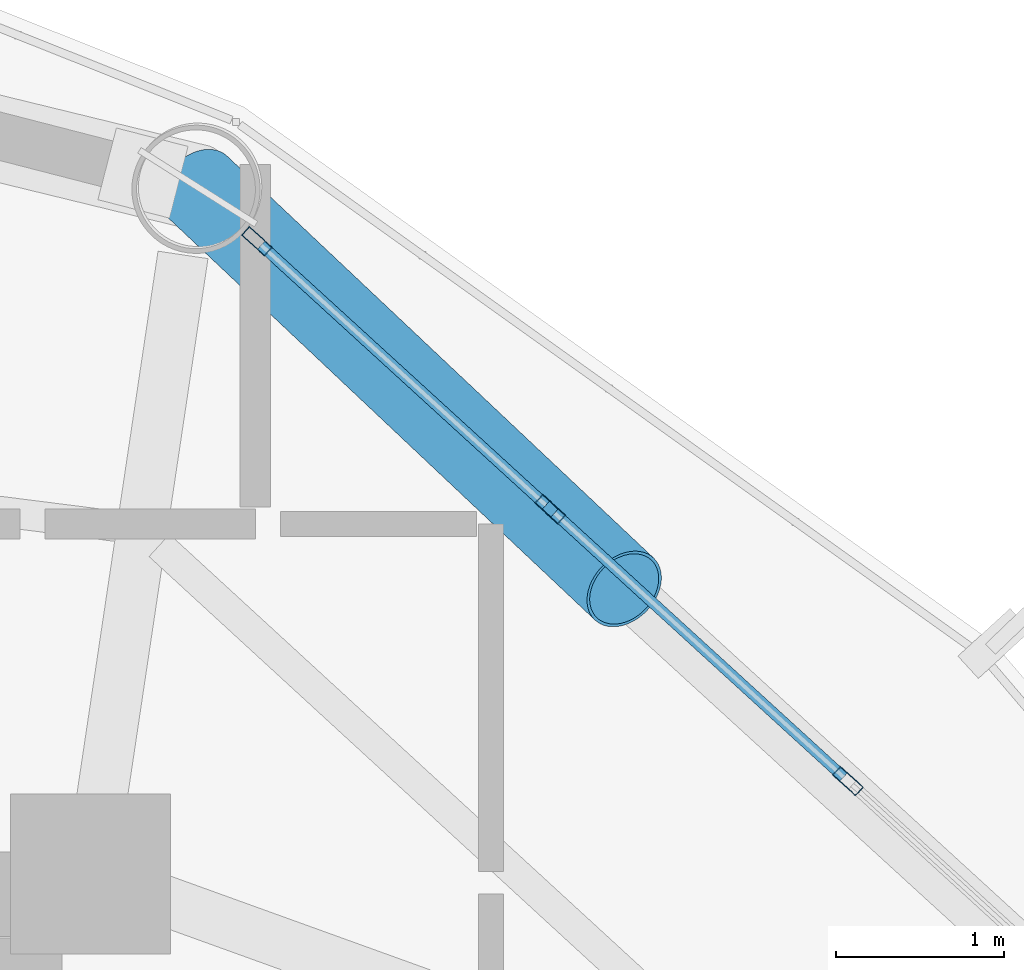
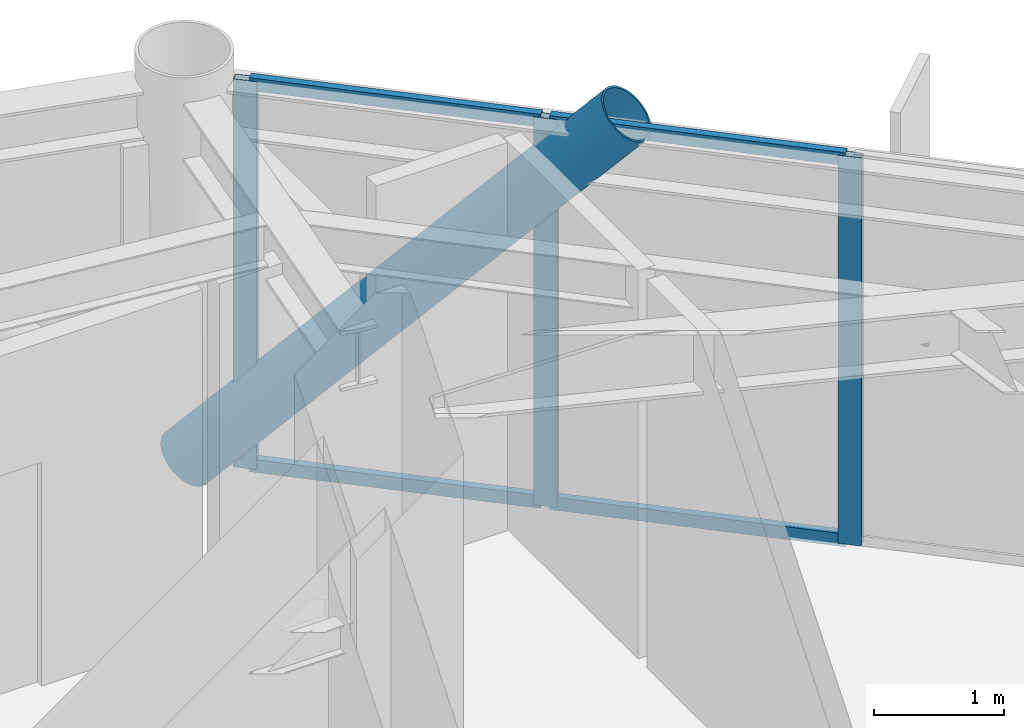
# One storey, part 18 of 25: 8 members, 1 element without a shape of its own.
"""IFC4 building model written with IfcOpenShell, lengths in metres."""

import ifcopenshell
import ifcopenshell.guid

model = None  # the IFC model being written
_history = None  # IfcOwnerHistory: only IFC2X3 demands one
_inside = {}  # id of a spatial element -> (the spatial element, [elements in it])
_under = {}  # id of a project, library or spatial element -> (it, [spatial elements below it])
_declared = {}  # id of a project -> (the project, [libraries it declares])
_typed = {}  # id of a type object -> (the type object, [elements of that type])
_made_of = {}  # id of a material, layer set ... -> (it, [elements and type objects made of it])


def new_model(schema):
    """Start an empty IFC model of exactly this schema.

    Asked for "IFC4X3", IfcOpenShell would pick the latest addendum, in which some entities
    have other attributes; the version numbers below select the first issue.
    IFC2X3 requires an IfcOwnerHistory on every rooted entity: one is made here for all.
    """
    global model, _history
    if schema == "IFC4X3":
        model = ifcopenshell.file(schema_version=(4, 3, 0, 0))
    else:
        model = ifcopenshell.file(schema=schema)
    _inside.clear()
    _under.clear()
    _declared.clear()
    _typed.clear()
    _made_of.clear()
    _history = None
    if model.schema == "IFC2X3":
        org = make("IfcOrganization", Name="unknown")
        user = make(
            "IfcPersonAndOrganization",
            ThePerson=make("IfcPerson", FamilyName="unknown"),
            TheOrganization=org,
        )
        app = make(
            "IfcApplication",
            ApplicationDeveloper=org,
            Version="unknown",
            ApplicationFullName="unknown",
            ApplicationIdentifier="unknown",
        )
        _history = make(
            "IfcOwnerHistory",
            OwningUser=user,
            OwningApplication=app,
            ChangeAction="ADDED",
            CreationDate=0,
        )
    return model


def make(cls, **values):
    """One entity of the class cls with the attributes given. An attribute that is None is left unset."""
    return model.create_entity(
        cls, **{name: value for name, value in values.items() if value is not None}
    )


def rooted(cls, **values):
    """An entity with a GlobalId (a new one), such as an element, a storey or a relation."""
    return make(cls, GlobalId=ifcopenshell.guid.new(), OwnerHistory=_history, **values)


def si_unit(unit_type, name, prefix=None):
    """IfcSIUnit, for example si_unit("LENGTHUNIT", "METRE", prefix="MILLI")."""
    return make("IfcSIUnit", UnitType=unit_type, Prefix=prefix, Name=name)


def assignment(units):
    """IfcUnitAssignment: the units of a project."""
    return None if units is None else make("IfcUnitAssignment", Units=units)


def point(xyz):
    """IfcCartesianPoint."""
    return None if xyz is None else make("IfcCartesianPoint", Coordinates=xyz)


def direction(xyz):
    """IfcDirection."""
    return None if xyz is None else make("IfcDirection", DirectionRatios=xyz)


def frame(location, z_axis=None, x_axis=None):
    """IfcAxis2Placement3D, a coordinate frame: its origin and axes. An axis left out is left unset."""
    return make(
        "IfcAxis2Placement3D",
        Location=point(location),
        Axis=direction(z_axis),
        RefDirection=direction(x_axis),
    )


def frame_2d(location, x_axis=None):
    """IfcAxis2Placement2D, a coordinate frame in the plane: its origin and x axis."""
    return make(
        "IfcAxis2Placement2D", Location=point(location), RefDirection=direction(x_axis)
    )


def origin():
    """The frame at (0, 0, 0) with its axes left unset."""
    return frame((0.0, 0.0, 0.0))


def origin_2d():
    """The frame at (0, 0) in the plane with its x axis left unset."""
    return frame_2d((0.0, 0.0))


def place(relative_to, where):
    """IfcLocalPlacement: puts the frame where relative to a parent placement (None: the world)."""
    return make(
        "IfcLocalPlacement", PlacementRelTo=relative_to, RelativePlacement=where
    )


def context(
    kind, dimensions, precision=None, world=None, true_north=None, identifier=None
):
    """IfcGeometricRepresentationContext, for example the 3D "Model" context."""
    return make(
        "IfcGeometricRepresentationContext",
        ContextIdentifier=identifier,
        ContextType=kind,
        CoordinateSpaceDimension=dimensions,
        Precision=precision,
        WorldCoordinateSystem=world,
        TrueNorth=true_north,
    )


def subcontext(parent, identifier, kind, view, scale=None):
    """IfcGeometricRepresentationSubContext, for example "Body" below "Model"."""
    return make(
        "IfcGeometricRepresentationSubContext",
        ContextIdentifier=identifier,
        ContextType=kind,
        ParentContext=parent,
        TargetScale=scale,
        TargetView=view,
    )


def project(units=None, contexts=None):
    """IfcProject with its units and contexts."""
    return rooted(
        "IfcProject",
        Name="project",
        RepresentationContexts=contexts,
        UnitsInContext=assignment(units),
    )


def spatial(cls, under=None, at=None, **own):
    """A site, building, storey or space (cls), placed at a placement, below another one or the project."""
    s = rooted(cls, ObjectPlacement=at, **own)
    if under is not None:
        _under.setdefault(under.id(), (under, []))[1].append(s)
    return s


def profile(cls, at=None, kind="AREA", **sizes):
    """A parametric profile (cls). Its sizes go by their IFC names, for example OverallWidth=200.0."""
    return make(cls, ProfileType=kind, Position=at, **sizes)


def hollow_rectangle(**sizes):
    """IfcRectangleHollowProfileDef."""
    return profile("IfcRectangleHollowProfileDef", **sizes)


def hollow_circle(**sizes):
    """IfcCircleHollowProfileDef."""
    return profile("IfcCircleHollowProfileDef", **sizes)


def extrude(swept, where, along, depth):
    """IfcExtrudedAreaSolid: the profile swept, set in the frame where, extruded along a direction by depth."""
    return make(
        "IfcExtrudedAreaSolid",
        SweptArea=swept,
        Position=where,
        ExtrudedDirection=direction(along),
        Depth=depth,
    )


def shape(context_of_items, identifier, shape_type, items):
    """IfcShapeRepresentation: the items that make up one representation, for example the "Body"."""
    return make(
        "IfcShapeRepresentation",
        ContextOfItems=context_of_items,
        RepresentationIdentifier=identifier,
        RepresentationType=shape_type,
        Items=items,
    )


def material(Name=None, Category=None):
    """IfcMaterial."""
    return make("IfcMaterial", Name=Name, Category=Category)


def layer(
    of_material, thickness, ventilated=None, Name=None, Category=None, Priority=None
):
    """IfcMaterialLayer: one layer of a wall or slab, of a material (None: an air gap)."""
    return make(
        "IfcMaterialLayer",
        Material=of_material,
        LayerThickness=thickness,
        IsVentilated=ventilated,
        Name=Name,
        Category=Category,
        Priority=Priority,
    )


def layer_set(layers, Name=None):
    """IfcMaterialLayerSet."""
    return make("IfcMaterialLayerSet", MaterialLayers=layers, LayerSetName=Name)


def material_profile(
    of_material, cross_section, Name=None, Category=None, Priority=None
):
    """IfcMaterialProfile: a cross section and its material."""
    return make(
        "IfcMaterialProfile",
        Name=Name,
        Material=of_material,
        Profile=cross_section,
        Priority=Priority,
        Category=Category,
    )


def profile_set(profiles, Name=None, composite=None):
    """IfcMaterialProfileSet."""
    return make(
        "IfcMaterialProfileSet",
        Name=Name,
        MaterialProfiles=profiles,
        CompositeProfile=composite,
    )


def made_of(thing, what):
    """Note that an element or type object is made of a material, layer set ...; save() writes the relation."""
    if what is not None:
        _made_of.setdefault(what.id(), (what, []))[1].append(thing)
    return thing


def type_object(cls, material=None, **own):
    """A type object (cls), such as IfcWallType, which elements share."""
    return made_of(rooted(cls, **own), material)


def element(
    cls,
    number,
    at=None,
    inside=None,
    cuts=None,
    type_object=None,
    material=None,
    context=None,
    identifier="Body",
    shape_type=None,
    held_by="IfcProductDefinitionShape",
    body=None,
    shapes=None,
    **own,
):
    """One element of the class cls, such as IfcWall. Its Tag is "e" and its number.

    at: its placement. inside: the storey or other place that contains it. cuts: it is an
    opening in that element (IfcRelVoidsElement). A single representation is given by context,
    identifier, shape_type and body (its items); several are given by shapes. held_by: the class
    of the entity that holds the representations. save() writes the other relations.
    """
    e = rooted(cls, Tag="e%d" % number, ObjectPlacement=at, **own)
    if body is not None:
        shapes = [shape(context, identifier, shape_type, body)]
    if shapes is not None:
        e.Representation = make(held_by, Representations=shapes)
    if inside is not None:
        _inside.setdefault(inside.id(), (inside, []))[1].append(e)
    if cuts is not None:
        rooted(
            "IfcRelVoidsElement", RelatingBuildingElement=cuts, RelatedOpeningElement=e
        )
    if type_object is not None:
        _typed.setdefault(type_object.id(), (type_object, []))[1].append(e)
    return made_of(e, material)


def aggregate(whole, parts):
    """IfcRelAggregates: a whole, such as a stair, and the parts it consists of."""
    return rooted("IfcRelAggregates", RelatingObject=whole, RelatedObjects=parts)


def save(model, path):
    """Write the relations noted so far, then the file.

    IfcRelAggregates (storeys below a building ...), IfcRelContainedInSpatialStructure (elements
    in a storey), IfcRelDefinesByType, IfcRelAssociatesMaterial and IfcRelDeclares: one each for
    every whole, place, type object, material and project.
    """
    for whole, parts in _under.values():
        aggregate(whole, parts)
    for where, things in _inside.values():
        rooted(
            "IfcRelContainedInSpatialStructure",
            RelatedElements=things,
            RelatingStructure=where,
        )
    for kind, things in _typed.values():
        rooted("IfcRelDefinesByType", RelatedObjects=things, RelatingType=kind)
    for what, things in _made_of.values():
        rooted("IfcRelAssociatesMaterial", RelatedObjects=things, RelatingMaterial=what)
    for by, libraries in _declared.values():
        rooted("IfcRelDeclares", RelatingContext=by, RelatedDefinitions=libraries)
    model.write(path)


model = new_model("IFC4")

# Units and contexts
model_context = context("Model", 3, precision=1e-05, world=origin(), true_north=direction((0.0, 1.0)))
body_context = subcontext(model_context, "Body", "Model", "MODEL_VIEW")
ifc_project = project(units=[si_unit("LENGTHUNIT", "METRE"), si_unit("AREAUNIT", "SQUARE_METRE"), si_unit("VOLUMEUNIT", "CUBIC_METRE"), si_unit("PLANEANGLEUNIT", "RADIAN"), si_unit("MASSUNIT", "GRAM", prefix="KILO")], contexts=[model_context])

# Site, building, storey
site_placement = place(None, origin())
site = spatial("IfcSite", under=ifc_project, at=site_placement, CompositionType="ELEMENT")
building_placement = place(site_placement, origin())
building = spatial("IfcBuilding", under=site, at=building_placement, Name="Varnakorn Sky Granary", CompositionType="ELEMENT")
storey_placement = place(building_placement, frame((0.0, 0.0, 122.699951171875)))
storey = spatial("IfcBuildingStorey", under=building, at=storey_placement, Name="L30", CompositionType="ELEMENT", Elevation=122.699951171875)

# Curtain wall, members
ifc_material_1 = material(Name="Anodised Bronze Aluminium Alloy 6063-T6", Category="aluminium")
ifc_layer = layer(ifc_material_1, 0.179931640625, Name="Anodised Bronze Aluminium Alloy 6063-T6")
ifc_layer_set = layer_set([ifc_layer], Name="Anodised Bronze Aluminium Alloy 6063-T6")
curtain_wall_type = type_object("IfcCurtainWallType", Name="CW-FRM-2", PredefinedType="USERDEFINED", material=ifc_layer_set)
curtain_wall_placement = place(storey_placement, origin())
curtain_wall = element("IfcCurtainWall", 1, at=curtain_wall_placement, inside=storey, type_object=curtain_wall_type, Name="Unitised Curtain Wall CW4 CW-L30-B02", ObjectType="CURTAIN WALL", PredefinedType="USERDEFINED")
ifc_material_profile_1 = material_profile(ifc_material_1, hollow_rectangle(XDim=0.070068359375, YDim=0.18505859375, WallThickness=0.00390625, at=origin_2d()), Name="ALU MULL 70x185")
ifc_profile_set_1 = profile_set([ifc_material_profile_1], Name="Anodised Bronze Aluminium Alloy 6063-T6")
member_type_1 = type_object("IfcMemberType", Name="CW-FRM-2-MULL", PredefinedType="MULLION", material=ifc_profile_set_1)
member_1_placement = place(storey_placement, frame((9.408935546875, 16.381103515625, 0.0), z_axis=(0.0, 0.0, 1.0), x_axis=(0.674407385715, 0.738359450466, 0.0)))
member_1 = element("IfcMember", 2, at=member_1_placement, type_object=member_type_1, Name="CW4 mullion 1", PredefinedType="MULLION", context=body_context, shape_type="SweptSolid", body=[
    extrude(hollow_rectangle(XDim=0.070068359375, YDim=0.18505859375, WallThickness=0.00390625, at=origin_2d()), origin(), (0.0, 0.0, 1.0), 3.64013671875),
])
member_2_placement = place(storey_placement, frame((11.15234375, 14.788818359375, 0.0), z_axis=(0.0, 0.0, 1.0), x_axis=(0.674407385715, 0.738359450466, 0.0)))
member_2 = element("IfcMember", 3, at=member_2_placement, type_object=member_type_1, Name="CW4 mullion 2", PredefinedType="MULLION", context=body_context, shape_type="SweptSolid", body=[
    extrude(hollow_rectangle(XDim=0.070068359375, YDim=0.18505859375, WallThickness=0.00390625, at=origin_2d()), origin(), (0.0, 0.0, 1.0), 3.64013671875),
])
member_3_placement = place(storey_placement, frame((12.921875, 13.172607421875, 0.0), z_axis=(0.0, 0.0, 1.0), x_axis=(0.674407385715, 0.738359450466, 0.0)))
member_3 = element("IfcMember", 4, at=member_3_placement, type_object=member_type_1, Name="CW4 mullion 3", PredefinedType="MULLION", context=body_context, shape_type="SweptSolid", body=[
    extrude(hollow_rectangle(XDim=0.070068359375, YDim=0.18505859375, WallThickness=0.00390625, at=origin_2d()), origin(), (0.0, 0.0, 1.0), 3.64013671875),
])
ifc_material_profile_2 = material_profile(ifc_material_1, hollow_rectangle(XDim=0.06494140625, YDim=0.1201171875, WallThickness=0.00341796875, at=origin_2d()), Name="ALU TRAN 65x120")
ifc_profile_set_2 = profile_set([ifc_material_profile_2], Name="Anodised Bronze Aluminium Alloy 6063-T6")
member_type_2 = type_object("IfcMemberType", Name="CW-FRM-2-TRAN", PredefinedType="USERDEFINED", material=ifc_profile_set_2)
member_4_placement = place(storey_placement, frame((9.434814453125, 16.357666015625, 0.032470703125), z_axis=(0.738347081543, -0.674420927297, 0.0), x_axis=(0.674420927297, 0.738347081543, 0.0)))
member_4 = element("IfcMember", 5, at=member_4_placement, type_object=member_type_2, Name="CW4 transom 1.1", ObjectType="TRANSOM", PredefinedType="USERDEFINED", context=body_context, shape_type="SweptSolid", body=[
    extrude(hollow_rectangle(XDim=0.06494140625, YDim=0.1201171875, WallThickness=0.00341796875, at=origin_2d()), origin(), (0.0, 0.0, 1.0), 2.29150390625),
])
member_5_placement = place(storey_placement, frame((9.434814453125, 16.357666015625, 3.607666015625), z_axis=(0.738347081543, -0.674420927297, 0.0), x_axis=(0.674420927297, 0.738347081543, 0.0)))
member_5 = element("IfcMember", 6, at=member_5_placement, type_object=member_type_2, Name="CW4 transom 1.2", ObjectType="TRANSOM", PredefinedType="USERDEFINED", context=body_context, shape_type="SweptSolid", body=[
    extrude(hollow_rectangle(XDim=0.06494140625, YDim=0.1201171875, WallThickness=0.00341796875, at=origin_2d()), origin(), (0.0, 0.0, 1.0), 2.29150390625),
])
member_6_placement = place(storey_placement, frame((11.17822265625, 14.76513671875, 0.032470703125), z_axis=(0.738390062698, -0.674373869088, 0.0), x_axis=(0.674373869088, 0.738390062698, 0.0)))
member_6 = element("IfcMember", 7, at=member_6_placement, type_object=member_type_2, Name="CW4 transom 2.1", ObjectType="TRANSOM", PredefinedType="USERDEFINED", context=body_context, shape_type="SweptSolid", body=[
    extrude(hollow_rectangle(XDim=0.06494140625, YDim=0.1201171875, WallThickness=0.00341796875, at=origin_2d()), origin(), (0.0, 0.0, 1.0), 2.326416015625),
])
member_7_placement = place(storey_placement, frame((11.17822265625, 14.76513671875, 3.607666015625), z_axis=(0.738390062698, -0.674373869088, 0.0), x_axis=(0.674373869088, 0.738390062698, 0.0)))
member_7 = element("IfcMember", 8, at=member_7_placement, type_object=member_type_2, Name="CW4 transom 2.2", ObjectType="TRANSOM", PredefinedType="USERDEFINED", context=body_context, shape_type="SweptSolid", body=[
    extrude(hollow_rectangle(XDim=0.06494140625, YDim=0.1201171875, WallThickness=0.00341796875, at=origin_2d()), origin(), (0.0, 0.0, 1.0), 2.326416015625),
])
aggregate(curtain_wall, [member_1, member_2, member_3, member_4, member_5, member_6, member_7])

# Member
ifc_material_2 = material(Name="Steel S460M", Category="steel")
ifc_material_profile_3 = material_profile(ifc_material_2, hollow_circle(Radius=0.25390625, WallThickness=0.01806640625, at=origin_2d()), Name="CHS 508x18")
ifc_profile_set_3 = profile_set([ifc_material_profile_3], Name="Steel S460M")
member_type_3 = type_object("IfcMemberType", Name="MB-DIAG-T2", PredefinedType="BRACE", material=ifc_profile_set_3)
member_8_placement = place(storey_placement, frame((9.0576171875, 16.7021484375, 0.0), z_axis=(0.492423343073, -0.463962307928, 0.736381849327), x_axis=(0.685760438188, 0.727827329397, 0.0)))
element("IfcMember", 9, at=member_8_placement, inside=storey, type_object=member_type_3, Name="Perimeter CHS Diagrid Brace DG02 L30", PredefinedType="BRACE", context=body_context, shape_type="SweptSolid", body=[
    extrude(hollow_circle(Radius=0.25390625, WallThickness=0.01806640625, at=origin_2d()), origin(), (0.0, 0.0, 1.0), 5.146728515625),
])

save(model, "model.ifc")
